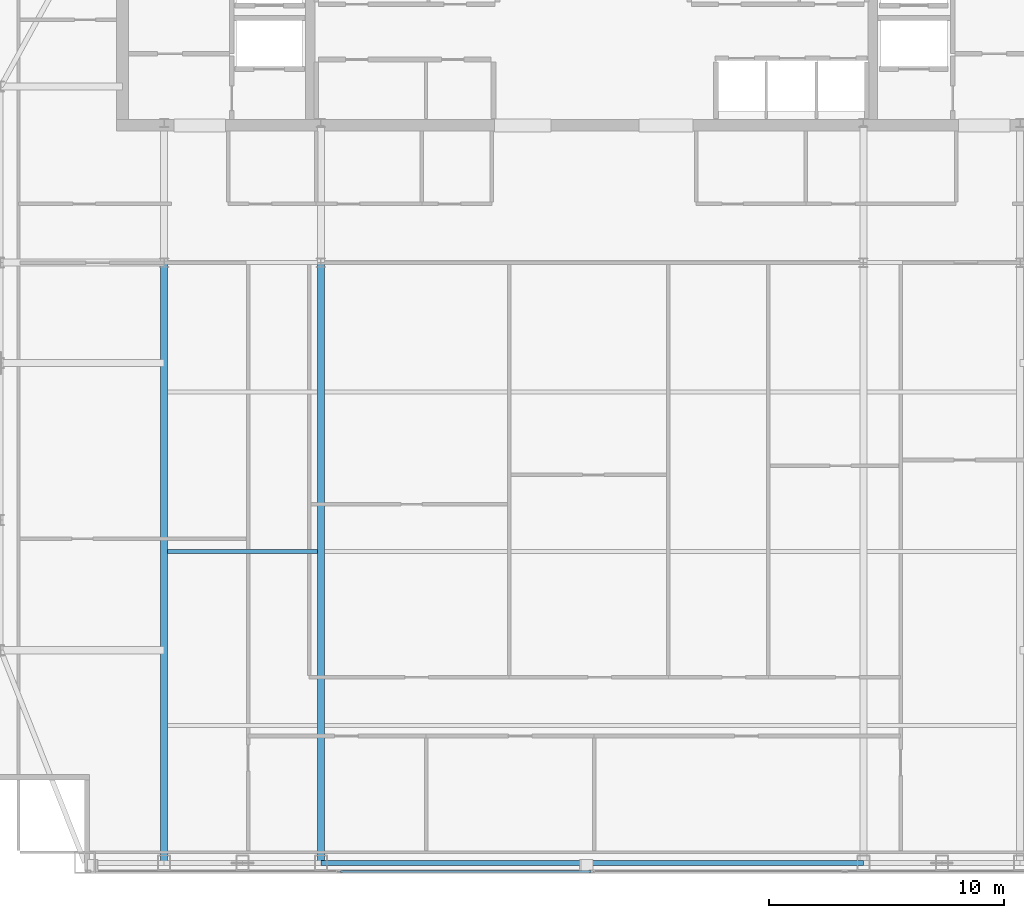
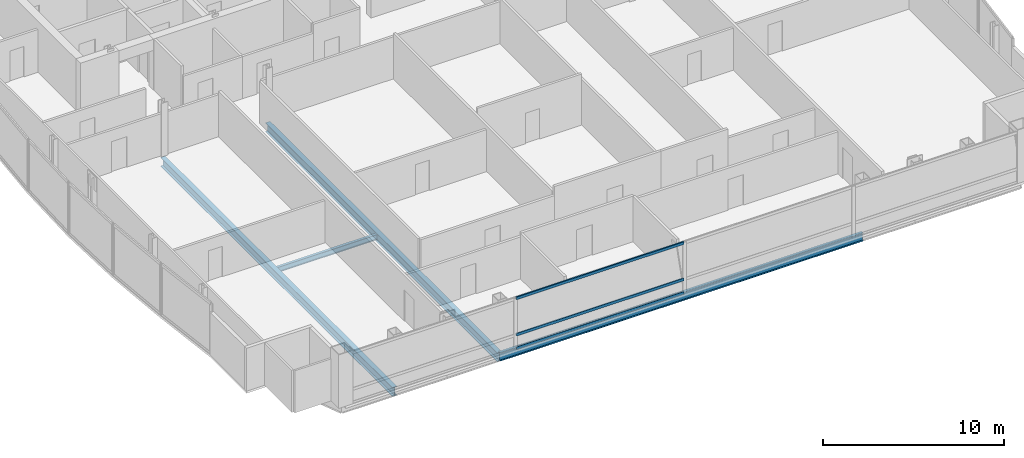
# One storey, part 6 of 27: 4 beams, 3 members, 1 element without a shape of its own.
"""IFC4 building model written with IfcOpenShell, lengths in metres."""

from ifc_helpers import new_model, si_unit, direction, frame, origin, origin_2d, place, context, subcontext, project, spatial, hollow_rectangle, i_section, extrude, material, material_profile, profile_set, type_object, element, aggregate, save


model = new_model("IFC4")

# Units and contexts
model_context = context("Model", 3, precision=1e-05, world=origin(), true_north=direction((0.0, 1.0)))
body_context = subcontext(model_context, "Body", "Model", "MODEL_VIEW")
ifc_project = project(units=[si_unit("LENGTHUNIT", "METRE"), si_unit("AREAUNIT", "SQUARE_METRE"), si_unit("VOLUMEUNIT", "CUBIC_METRE"), si_unit("PLANEANGLEUNIT", "RADIAN"), si_unit("MASSUNIT", "GRAM", prefix="KILO")], contexts=[model_context])

# Site, building, storey
site_placement = place(None, origin())
site = spatial("IfcSite", under=ifc_project, at=site_placement, CompositionType="ELEMENT")
building_placement = place(site_placement, origin())
building = spatial("IfcBuilding", under=site, at=building_placement, Name="Khoronbel Lancet Exchange", CompositionType="ELEMENT")
storey_placement = place(building_placement, frame((0.0, 0.0, 343.39990234375)))
storey = spatial("IfcBuildingStorey", under=building, at=storey_placement, Name="L89", CompositionType="ELEMENT", Elevation=343.39990234375)

# Beams
ifc_material_1 = material(Name="Steel S355", Category="steel")
ifc_material_profile_1 = material_profile(ifc_material_1, i_section(OverallWidth=0.300048828125, OverallDepth=0.60009765625, WebThickness=0.015380859375, FlangeThickness=0.030029296875, at=origin_2d()), Name="HEB 600")
ifc_profile_set_1 = profile_set([ifc_material_profile_1], Name="Steel S355")
beam_type_1 = type_object("IfcBeamType", Name="BM-BG5", PredefinedType="BEAM", material=ifc_profile_set_1)
for number, where, z_axis, x_axis, name in (
    (1, (18.22509765625, 10.14990234375, -0.4599609375), (0.0, 1.0, 0.0), (-1.0, 0.0, 0.0), "Level L89 south primary girder GS1"),
    (2, (24.89990234375, 10.14990234375, -0.4599609375), (0.0, 1.0, 0.0), (-1.0, 0.0, 0.0), "Level L89 south primary girder GS2"),
):
    element("IfcBeam", number, at=place(storey_placement, frame(where, z_axis=z_axis, x_axis=x_axis)), inside=storey, type_object=beam_type_1, Name=name, PredefinedType="BEAM", context=body_context, shape_type="SweptSolid", body=[
        extrude(i_section(OverallWidth=0.300048828125, OverallDepth=0.60009765625, WebThickness=0.015380859375, FlangeThickness=0.030029296875, at=origin_2d()), origin(), (0.0, 0.0, 1.0), 25.550048828125),
    ])
ifc_material_profile_2 = material_profile(ifc_material_1, i_section(OverallWidth=0.169921875, OverallDepth=0.360107421875, WebThickness=0.008056640625, FlangeThickness=0.0126953125, at=origin_2d()), Name="IPE 360")
ifc_profile_set_2 = profile_set([ifc_material_profile_2], Name="Steel S355")
beam_type_2 = type_object("IfcBeamType", Name="BM-BJ6", PredefinedType="JOIST", material=ifc_profile_set_2)
beam_1_placement = place(storey_placement, frame((18.375, 23.39990234375, -0.33984375), z_axis=(1.0, 0.0, 0.0), x_axis=(0.0, 1.0, 0.0)))
element("IfcBeam", 3, at=beam_1_placement, inside=storey, type_object=beam_type_2, Name="Level L89 secondary composite joist J04", PredefinedType="JOIST", context=body_context, shape_type="SweptSolid", body=[
    extrude(i_section(OverallWidth=0.169921875, OverallDepth=0.360107421875, WebThickness=0.008056640625, FlangeThickness=0.0126953125, at=origin_2d()), origin(), (0.0, 0.0, 1.0), 6.375),
])
ifc_material_profile_3 = material_profile(ifc_material_1, i_section(OverallWidth=0.2099609375, OverallDepth=0.550048828125, WebThickness=0.010986328125, FlangeThickness=0.01708984375, at=origin_2d()), Name="IPE 550")
ifc_profile_set_3 = profile_set([ifc_material_profile_3], Name="Steel S355")
beam_type_3 = type_object("IfcBeamType", Name="BM-BSP3", PredefinedType="SPANDREL", material=ifc_profile_set_3)
beam_2_placement = place(storey_placement, frame((24.89990234375, 10.14990234375, -0.434814453125), z_axis=(1.0, 0.0, 0.0), x_axis=(0.0, 1.0, 0.0)))
element("IfcBeam", 4, at=beam_2_placement, inside=storey, type_object=beam_type_3, Name="Level L89 perimeter spandrel beam SP04", PredefinedType="SPANDREL", context=body_context, shape_type="SweptSolid", body=[
    extrude(i_section(OverallWidth=0.2099609375, OverallDepth=0.550048828125, WebThickness=0.010986328125, FlangeThickness=0.01708984375, at=origin_2d()), origin(), (0.0, 0.0, 1.0), 23.10009765625),
])

# Curtain wall, members
ifc_material_2 = material(Name="Low-E Solar Control Insulating Glass", Category="glass")
curtain_wall_type = type_object("IfcCurtainWallType", Name="CW-3", PredefinedType="NOTDEFINED", material=ifc_material_2)
curtain_wall_placement = place(storey_placement, origin())
curtain_wall = element("IfcCurtainWall", 5, at=curtain_wall_placement, inside=storey, type_object=curtain_wall_type, Name="Unitised curtain wall CW-L89-E26", PredefinedType="NOTDEFINED")
ifc_material_3 = material(Name="Bronze-Anodised Aluminium 6063-T6", Category="aluminium")
ifc_material_profile_4 = material_profile(ifc_material_3, hollow_rectangle(XDim=0.0849609375, YDim=0.179931640625, WallThickness=0.0048828125, at=origin_2d()), Name="ALU TRANSOM 85x180")
ifc_profile_set_4 = profile_set([ifc_material_profile_4], Name="Bronze-Anodised Aluminium 6063-T6")
member_type = type_object("IfcMemberType", Name="MEM-CWT1", PredefinedType="USERDEFINED", material=ifc_profile_set_4)
member_1_placement = place(storey_placement, frame((36.407470703125, 9.7900390625, 0.04248046875), z_axis=(-1.0, 0.0, 0.0), x_axis=(0.0, -1.0, 0.0)))
member_1 = element("IfcMember", 6, at=member_1_placement, type_object=member_type, Name="CW3 transom 3.1", ObjectType="TRANSOM", PredefinedType="USERDEFINED", context=body_context, shape_type="SweptSolid", body=[
    extrude(hollow_rectangle(XDim=0.0849609375, YDim=0.179931640625, WallThickness=0.0048828125, at=origin_2d()), origin(), (0.0, 0.0, 1.0), 10.669921875),
])
member_2_placement = place(storey_placement, frame((36.407470703125, 9.7900390625, 0.9501953125), z_axis=(-1.0, 0.0, 0.0), x_axis=(0.0, -1.0, 0.0)))
member_2 = element("IfcMember", 7, at=member_2_placement, type_object=member_type, Name="CW3 transom 3.2", ObjectType="TRANSOM", PredefinedType="USERDEFINED", context=body_context, shape_type="SweptSolid", body=[
    extrude(hollow_rectangle(XDim=0.0849609375, YDim=0.179931640625, WallThickness=0.0048828125, at=origin_2d()), origin(), (0.0, 0.0, 1.0), 10.669921875),
])
member_3_placement = place(storey_placement, frame((36.407470703125, 9.7900390625, 3.397705078125), z_axis=(-1.0, 0.0, 0.0), x_axis=(0.0, -1.0, 0.0)))
member_3 = element("IfcMember", 8, at=member_3_placement, type_object=member_type, Name="CW3 transom 3.3", ObjectType="TRANSOM", PredefinedType="USERDEFINED", context=body_context, shape_type="SweptSolid", body=[
    extrude(hollow_rectangle(XDim=0.0849609375, YDim=0.179931640625, WallThickness=0.0048828125, at=origin_2d()), origin(), (0.0, 0.0, 1.0), 10.669921875),
])
aggregate(curtain_wall, [member_1, member_2, member_3])

save(model, "model.ifc")
